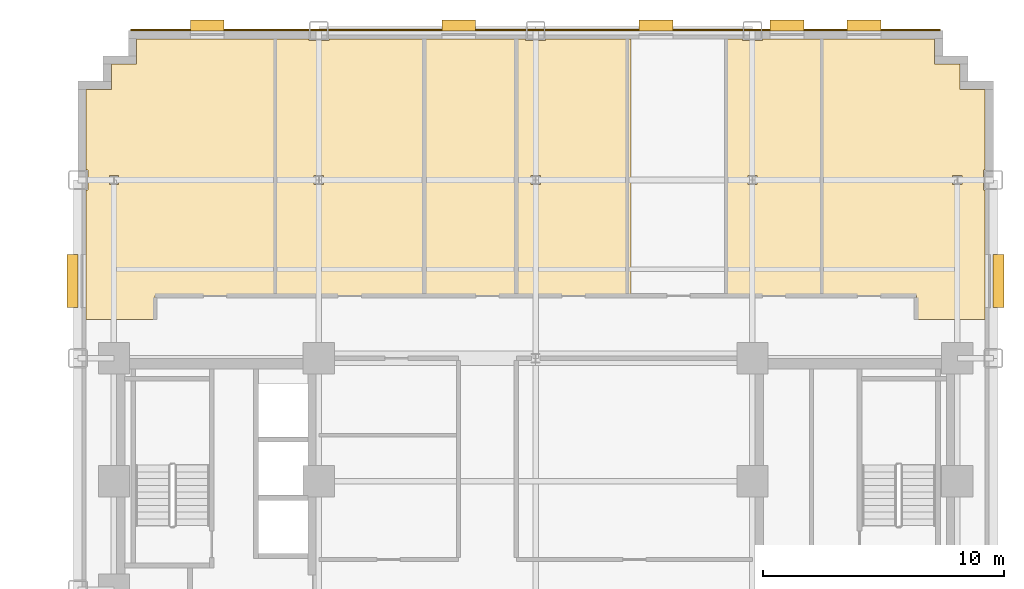
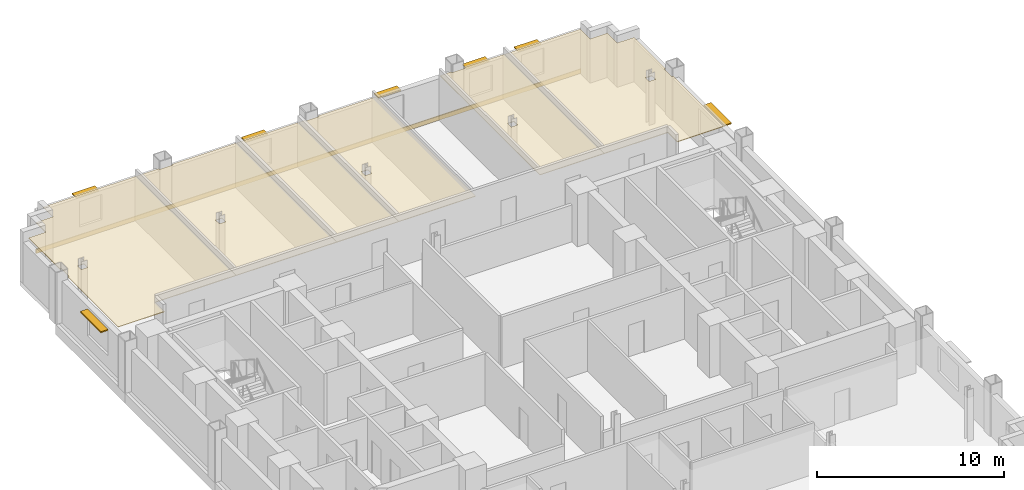
# One storey, part 12 of 12: 7 coverings, 7 shading devices.
"""IFC4 building model written with IfcOpenShell, lengths in metres."""

from ifc_helpers import new_model, si_unit, direction, frame, origin, origin_2d, place, context, subcontext, project, spatial, polyline, rectangle, outline, extrude, source, transform, mapped, material, layer, layer_set, type_object, type_shapes, element, save


model = new_model("IFC4")

# Units and contexts
model_context = context("Model", 3, precision=1e-05, world=origin(), true_north=direction((0.0, 1.0)))
body_context = subcontext(model_context, "Body", "Model", "MODEL_VIEW")
ifc_project = project(units=[si_unit("LENGTHUNIT", "METRE"), si_unit("AREAUNIT", "SQUARE_METRE"), si_unit("VOLUMEUNIT", "CUBIC_METRE"), si_unit("PLANEANGLEUNIT", "RADIAN"), si_unit("MASSUNIT", "GRAM", prefix="KILO")], contexts=[model_context])

# Site, building, storey
site_placement = place(None, origin())
site = spatial("IfcSite", under=ifc_project, at=site_placement, CompositionType="ELEMENT")
building_placement = place(site_placement, origin())
building = spatial("IfcBuilding", under=site, at=building_placement, Name="Nuvemarco Arch Tower", CompositionType="ELEMENT")
storey_placement = place(building_placement, frame((0.0, 0.0, 34.89990234375)))
storey = spatial("IfcBuildingStorey", under=building, at=storey_placement, Name="L08", CompositionType="ELEMENT", Elevation=34.89990234375)

# Coverings
ifc_material_1 = material(Name="Mineral acoustic ceiling tile")
ifc_layer_1 = layer(ifc_material_1, 0.0400390625, Name="COV-ACOUSTIC-CLG")
ifc_layer_set_1 = layer_set([ifc_layer_1], Name="Mineral acoustic ceiling tile")
covering_type_1 = type_object("IfcCoveringType", Name="COV-ACOUSTIC-CLG", PredefinedType="CEILING", material=ifc_layer_set_1)
covering_1_placement = place(storey_placement, frame((0.0, 0.0, 2.85009765625)))
element("IfcCovering", 1, at=covering_1_placement, inside=storey, type_object=covering_type_1, Name="L08 suspended acoustic ceiling 3", PredefinedType="CEILING", context=body_context, shape_type="SweptSolid", body=[
    extrude(outline(polyline([(-18.5849609375, 16.5849609375), (-18.5849609375, 17.4150390625), (-18.659912109375, 17.4150390625), (-18.659912109375, 20.760009765625), (-17.610107421875, 20.760009765625), (-17.610107421875, 21.81005859375), (-16.56005859375, 21.81005859375), (-16.56005859375, 22.860107421875), (-10.81005859375, 22.860107421875), (-10.81005859375, 12.199951171875), (-15.800048828125, 12.199951171875), (-15.800048828125, 11.199951171875), (-18.659912109375, 11.199951171875), (-18.659912109375, 16.5849609375), (-18.5849609375, 16.5849609375)]), holes=[polyline([(-17.304931640625, 16.804931640625), (-17.304931640625, 17.195068359375), (-17.695068359375, 17.195068359375), (-17.695068359375, 16.804931640625), (-17.304931640625, 16.804931640625)])]), origin(), (0.0, 0.0, 1.0), 0.0400390625),
])
covering_2_placement = place(storey_placement, frame((0.0, 0.0, 2.85009765625)))
element("IfcCovering", 2, at=covering_2_placement, inside=storey, type_object=covering_type_1, Name="L08 suspended acoustic ceiling 5", PredefinedType="CEILING", context=body_context, shape_type="SweptSolid", body=[
    extrude(outline(polyline([(18.659912109375, 20.760009765625), (18.659912109375, 17.4150390625), (18.5849609375, 17.4150390625), (18.5849609375, 16.5849609375), (18.659912109375, 16.5849609375), (18.659912109375, 11.199951171875), (15.800048828125, 11.199951171875), (15.800048828125, 12.199951171875), (11.8701171875, 12.199951171875), (11.8701171875, 22.860107421875), (16.56005859375, 22.860107421875), (16.56005859375, 21.81005859375), (17.610107421875, 21.81005859375), (17.610107421875, 20.760009765625), (18.659912109375, 20.760009765625)]), holes=[polyline([(17.695068359375, 16.804931640625), (17.695068359375, 17.195068359375), (17.304931640625, 17.195068359375), (17.304931640625, 16.804931640625), (17.695068359375, 16.804931640625)])]), origin(), (0.0, 0.0, 1.0), 0.0400390625),
])
covering_3_placement = place(storey_placement, frame((0.0, 0.0, 2.85009765625)))
element("IfcCovering", 3, at=covering_3_placement, inside=storey, type_object=covering_type_1, Name="L08 suspended acoustic ceiling 6", PredefinedType="CEILING", context=body_context, shape_type="SweptSolid", body=[
    extrude(outline(polyline([(-4.6201171875, 12.199951171875), (-10.81005859375, 12.199951171875), (-10.81005859375, 22.860107421875), (-9.4150390625, 22.860107421875), (-9.4150390625, 22.784912109375), (-8.5849609375, 22.784912109375), (-8.5849609375, 22.860107421875), (-4.6201171875, 22.860107421875), (-4.6201171875, 12.199951171875)]), holes=[polyline([(-8.804931640625, 16.804931640625), (-8.804931640625, 17.195068359375), (-9.195068359375, 17.195068359375), (-9.195068359375, 16.804931640625), (-8.804931640625, 16.804931640625)])]), origin(), (0.0, 0.0, 1.0), 0.0400390625),
])
covering_4_placement = place(storey_placement, frame((0.0, 0.0, 2.85009765625)))
element("IfcCovering", 4, at=covering_4_placement, inside=storey, type_object=covering_type_1, Name="L08 suspended acoustic ceiling 7", PredefinedType="CEILING", context=body_context, shape_type="SweptSolid", body=[
    extrude(outline(polyline([(3.949951171875, 12.199951171875), (-0.800048828125, 12.199951171875), (-0.800048828125, 22.860107421875), (-0.4150390625, 22.860107421875), (-0.4150390625, 22.784912109375), (0.4150390625, 22.784912109375), (0.4150390625, 22.860107421875), (3.949951171875, 22.860107421875), (3.949951171875, 12.199951171875)]), holes=[polyline([(0.195068359375, 16.804931640625), (0.195068359375, 17.195068359375), (-0.195068359375, 17.195068359375), (-0.195068359375, 16.804931640625), (0.195068359375, 16.804931640625)])]), origin(), (0.0, 0.0, 1.0), 0.0400390625),
])
covering_5_placement = place(storey_placement, frame((0.0, 0.0, 2.85009765625)))
element("IfcCovering", 5, at=covering_5_placement, inside=storey, type_object=covering_type_1, Name="L08 suspended acoustic ceiling 8", PredefinedType="CEILING", context=body_context, shape_type="SweptSolid", body=[
    extrude(outline(polyline([(11.8701171875, 12.199951171875), (7.909912109375, 12.199951171875), (7.909912109375, 22.860107421875), (8.5849609375, 22.860107421875), (8.5849609375, 22.784912109375), (9.4150390625, 22.784912109375), (9.4150390625, 22.860107421875), (11.8701171875, 22.860107421875), (11.8701171875, 12.199951171875)]), holes=[polyline([(9.195068359375, 17.195068359375), (8.804931640625, 17.195068359375), (8.804931640625, 16.804931640625), (9.195068359375, 16.804931640625), (9.195068359375, 17.195068359375)])]), origin(), (0.0, 0.0, 1.0), 0.0400390625),
])
covering_6_placement = place(storey_placement, frame((0.0, 0.0, 2.85009765625)))
element("IfcCovering", 6, at=covering_6_placement, inside=storey, type_object=covering_type_1, Name="L08 suspended acoustic ceiling 9", PredefinedType="CEILING", context=body_context, shape_type="SweptSolid", body=[
    extrude(outline(polyline([(-0.800048828125, 12.199951171875), (-3.199951171875, 12.199951171875), (-4.6201171875, 12.199951171875), (-4.6201171875, 22.860107421875), (-0.800048828125, 22.860107421875), (-0.800048828125, 12.199951171875)])), origin(), (0.0, 0.0, 1.0), 0.0400390625),
])

# Shading devices
ifc_material_2 = material(Name="Anodised aluminium 6063-T6", Category="aluminium")
shading_device_type_1 = type_object("IfcShadingDeviceType", Name="SHD-BRISE-SOLEIL", PredefinedType="USERDEFINED", material=ifc_material_2)
shared_shape_1 = source(origin(), body_context, "Body", "SweptSolid", [
    extrude(rectangle(XDim=2.199951171875, YDim=0.449951171875, at=origin_2d()), origin(), (0.0, 0.0, 1.0), 0.080078125),
])
type_shapes(shading_device_type_1, [shared_shape_1])
for number, where, z_axis, x_axis, name in (
    (7, (19.215087890625, 12.802490234375, 2.455078125), (0.0, 0.0, 1.0), (0.0, 1.0, 0.0), "L08 horizontal brise-soleil sunshade"),
    (8, (-19.215087890625, 12.802490234375, 2.455078125), (0.0, 0.0, 1.0), (0.0, 1.0, 0.0), "L08 horizontal brise-soleil sunshade"),
):
    element("IfcShadingDevice", number, at=place(storey_placement, frame(where, z_axis=z_axis, x_axis=x_axis)), inside=storey, type_object=shading_device_type_1, Name=name, ObjectType="SUNSHADE", PredefinedType="USERDEFINED", context=body_context, shape_type="MappedRepresentation", body=[
        mapped(shared_shape_1, transform((0.0, 0.0, 0.0), scale=1.0)),
    ])
shading_device_type_2 = type_object("IfcShadingDeviceType", Name="SHD-BRISE-NARROW", PredefinedType="USERDEFINED", material=ifc_material_2)
shared_shape_2 = source(origin(), body_context, "Body", "SweptSolid", [
    extrude(rectangle(XDim=1.39990234375, YDim=0.449951171875, at=origin_2d()), origin(), (0.0, 0.0, 1.0), 0.080078125),
])
type_shapes(shading_device_type_2, [shared_shape_2])
for number, where, z_axis, x_axis, name in (
    (9, (-13.628662109375, 23.4150390625, 2.455078125), (0.0, 0.0, 1.0), (1.0, 0.0, 0.0), "L08 horizontal brise-soleil sunshade"),
    (10, (-3.19287109375, 23.4150390625, 2.455078125), (0.0, 0.0, 1.0), (1.0, 0.0, 0.0), "L08 horizontal brise-soleil sunshade"),
    (11, (4.992919921875, 23.4150390625, 2.455078125), (0.0, 0.0, 1.0), (1.0, 0.0, 0.0), "L08 horizontal brise-soleil sunshade"),
    (12, (10.435791015625, 23.4150390625, 2.455078125), (0.0, 0.0, 1.0), (1.0, 0.0, 0.0), "L08 horizontal brise-soleil sunshade"),
    (13, (13.628662109375, 23.4150390625, 2.455078125), (0.0, 0.0, 1.0), (1.0, 0.0, 0.0), "L08 horizontal brise-soleil sunshade"),
):
    element("IfcShadingDevice", number, at=place(storey_placement, frame(where, z_axis=z_axis, x_axis=x_axis)), inside=storey, type_object=shading_device_type_2, Name=name, ObjectType="SUNSHADE", PredefinedType="USERDEFINED", context=body_context, shape_type="MappedRepresentation", body=[
        mapped(shared_shape_2, transform((0.0, 0.0, 0.0), scale=1.0)),
    ])

# Covering
ifc_material_3 = material(Name="Precast concrete C45/55", Category="concrete")
ifc_layer_2 = layer(ifc_material_3, 0.06005859375, Name="COV-SPANDREL-CLAD")
ifc_layer_set_2 = layer_set([ifc_layer_2], Name="Precast concrete C45/55")
covering_type_2 = type_object("IfcCoveringType", Name="COV-SPANDREL-CLAD", PredefinedType="CLADDING", material=ifc_layer_set_2)
shared_shape_3 = source(origin(), body_context, "Body", "SweptSolid", [
    extrude(rectangle(XDim=33.60009765625, YDim=0.06005859375, at=origin_2d()), origin(), (0.0, 0.0, 1.0), 0.280029296875),
])
type_shapes(covering_type_2, [shared_shape_3])
covering_7_placement = place(storey_placement, frame((0.0, 23.22900390625, -0.27978515625), z_axis=(0.0, 0.0, 1.0), x_axis=(1.0, 0.0, 0.0)))
element("IfcCovering", 14, at=covering_7_placement, inside=storey, type_object=covering_type_2, Name="L08 precast spandrel edge cladding north", PredefinedType="CLADDING", context=body_context, shape_type="MappedRepresentation", body=[
    mapped(shared_shape_3, transform((0.0, 0.0, 0.0), scale=1.0)),
])

save(model, "model.ifc")
